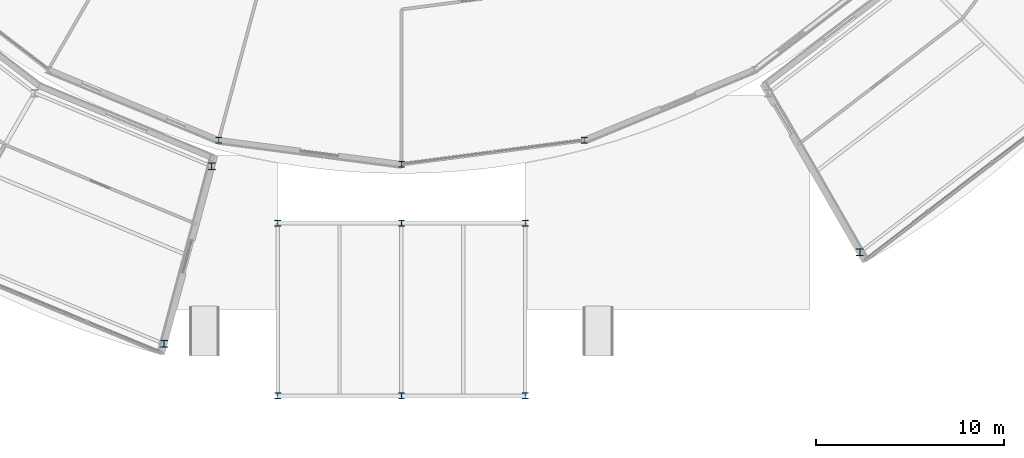
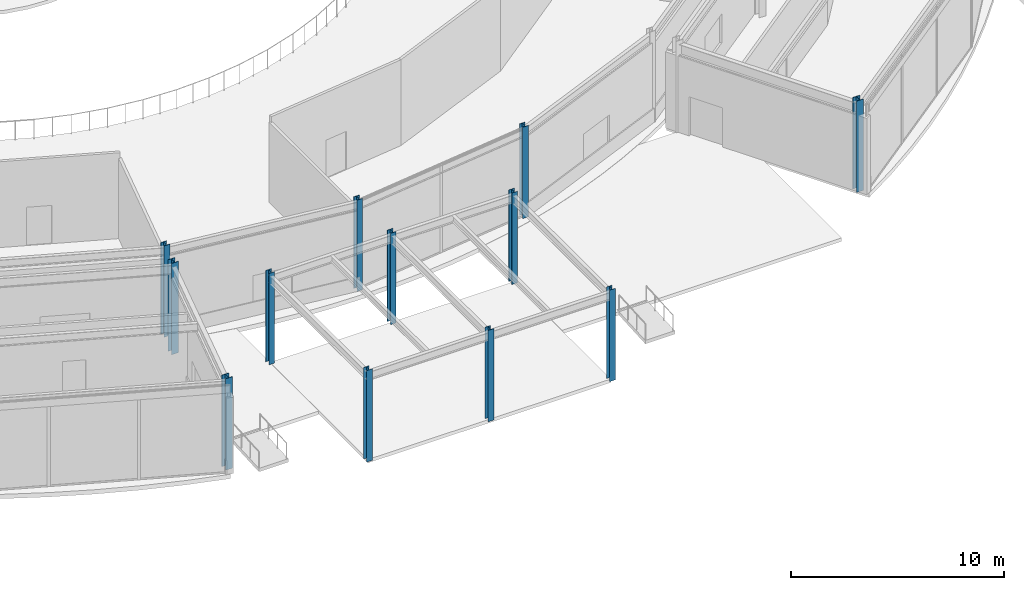
# One storey, part 5 of 168: 12 columns.
"""IFC4 building model written with IfcOpenShell, lengths in metres."""

from ifc_helpers import new_model, si_unit, direction, frame, origin, origin_2d, place, context, subcontext, project, spatial, i_section, extrude, material, material_profile, profile_set, type_object, element, save


model = new_model("IFC4")

# Units and contexts
model_context = context("Model", 3, precision=1e-05, world=origin(), true_north=direction((0.0, 1.0)))
body_context = subcontext(model_context, "Body", "Model", "MODEL_VIEW")
ifc_project = project(units=[si_unit("LENGTHUNIT", "METRE"), si_unit("AREAUNIT", "SQUARE_METRE"), si_unit("VOLUMEUNIT", "CUBIC_METRE"), si_unit("PLANEANGLEUNIT", "RADIAN"), si_unit("MASSUNIT", "GRAM", prefix="KILO")], contexts=[model_context])

# Site, building, storey
site_placement = place(None, origin())
site = spatial("IfcSite", under=ifc_project, at=site_placement, CompositionType="ELEMENT")
building_placement = place(site_placement, origin())
building = spatial("IfcBuilding", under=site, at=building_placement, Name="Almandine Court Research Institute", CompositionType="ELEMENT")
storey_placement = place(building_placement, origin())
storey = spatial("IfcBuildingStorey", under=building, at=storey_placement, Name="L00", CompositionType="ELEMENT", Elevation=0.0)

# Columns
ifc_material = material(Name="Steel ASTM A992 Grade 50", Category="steel")
ifc_material_profile_1 = material_profile(ifc_material, i_section(OverallWidth=0.373046875, OverallDepth=0.367919921875, WebThickness=0.01708984375, FlangeThickness=0.027099609375, at=origin_2d()), Name="W360x179")
ifc_profile_set_1 = profile_set([ifc_material_profile_1], Name="Steel ASTM A992 Grade 50")
column_type_1 = type_object("IfcColumnType", Name="Col-C-W03-E", PredefinedType="COLUMN", material=ifc_profile_set_1)
for number, where, z_axis, x_axis, name in (
    (1, (76.8798828125, 18.23193359375, 0.0), (0.0, 0.0, 1.0), (1.0, 0.0, 0.0), "L00 V5 Column V5-IN-S17"),
    (2, (74.343994140625, 8.76611328125, 0.0), (0.0, 0.0, 1.0), (1.0, 0.0, 0.0), "L00 V5 Column V5-OUT-S17"),
    (3, (111.449951171875, 13.65087890625, 0.0), (0.0, 0.0, 1.0), (1.0, 0.0, 0.0), "L00 V5 Column V5-OUT-S20"),
):
    element("IfcColumn", number, at=place(storey_placement, frame(where, z_axis=z_axis, x_axis=x_axis)), inside=storey, type_object=column_type_1, Name=name, PredefinedType="COLUMN", context=body_context, shape_type="SweptSolid", body=[
        extrude(i_section(OverallWidth=0.373046875, OverallDepth=0.367919921875, WebThickness=0.01708984375, FlangeThickness=0.027099609375, at=origin_2d()), origin(), (0.0, 0.0, 1.0), 5.25),
    ])
ifc_material_profile_2 = material_profile(ifc_material, i_section(OverallWidth=0.31005859375, OverallDepth=0.326904296875, WebThickness=0.01611328125, FlangeThickness=0.02490234375, at=origin_2d()), Name="W310x158")
ifc_profile_set_2 = profile_set([ifc_material_profile_2], Name="Steel ASTM A992 Grade 50")
column_type_2 = type_object("IfcColumnType", Name="Col-C-W06", PredefinedType="COLUMN", material=ifc_profile_set_2)
for number, where, z_axis, x_axis, name in (
    (4, (77.2548828125, 19.633056640625, 0.0), (0.0, 0.0, 1.0), (1.0, 0.0, 0.0), "L00 V2 Column V2-OUT-S17"),
    (5, (87.0, 18.35009765625, 0.0), (0.0, 0.0, 1.0), (1.0, 0.0, 0.0), "L00 V2 Column V2-OUT-S18"),
    (6, (96.7451171875, 19.633056640625, 0.0), (0.0, 0.0, 1.0), (1.0, 0.0, 0.0), "L00 V2 Column V2-OUT-S19"),
):
    element("IfcColumn", number, at=place(storey_placement, frame(where, z_axis=z_axis, x_axis=x_axis)), inside=storey, type_object=column_type_2, Name=name, PredefinedType="COLUMN", context=body_context, shape_type="SweptSolid", body=[
        extrude(i_section(OverallWidth=0.31005859375, OverallDepth=0.326904296875, WebThickness=0.01611328125, FlangeThickness=0.02490234375, at=origin_2d()), origin(), (0.0, 0.0, 1.0), 5.25),
    ])
ifc_material_profile_3 = material_profile(ifc_material, i_section(OverallWidth=0.305908203125, OverallDepth=0.31103515625, WebThickness=0.010986328125, FlangeThickness=0.01708984375, at=origin_2d()), Name="W310x107")
ifc_profile_set_3 = profile_set([ifc_material_profile_3], Name="Steel ASTM A992 Grade 50")
column_type_3 = type_object("IfcColumnType", Name="Col-C-W08-E", PredefinedType="COLUMN", material=ifc_profile_set_3)
for number, where, z_axis, x_axis, name in (
    (7, (80.39990234375, 6.0, 0.0), (0.0, 0.0, 1.0), (1.0, 0.0, 0.0), "L00 PSH-S Column PSH-S-X1Y1"),
    (8, (80.39990234375, 15.199951171875, 0.0), (0.0, 0.0, 1.0), (1.0, 0.0, 0.0), "L00 PSH-S Column PSH-S-X1Y2"),
    (9, (87.0, 6.0, 0.0), (0.0, 0.0, 1.0), (1.0, 0.0, 0.0), "L00 PSH-S Column PSH-S-X2Y1"),
    (10, (87.0, 15.199951171875, 0.0), (0.0, 0.0, 1.0), (1.0, 0.0, 0.0), "L00 PSH-S Column PSH-S-X2Y2"),
    (11, (93.60009765625, 6.0, 0.0), (0.0, 0.0, 1.0), (1.0, 0.0, 0.0), "L00 PSH-S Column PSH-S-X3Y1"),
    (12, (93.60009765625, 15.199951171875, 0.0), (0.0, 0.0, 1.0), (1.0, 0.0, 0.0), "L00 PSH-S Column PSH-S-X3Y2"),
):
    element("IfcColumn", number, at=place(storey_placement, frame(where, z_axis=z_axis, x_axis=x_axis)), inside=storey, type_object=column_type_3, Name=name, PredefinedType="COLUMN", context=body_context, shape_type="SweptSolid", body=[
        extrude(i_section(OverallWidth=0.305908203125, OverallDepth=0.31103515625, WebThickness=0.010986328125, FlangeThickness=0.01708984375, at=origin_2d()), origin(), (0.0, 0.0, 1.0), 5.25),
    ])

save(model, "model.ifc")
